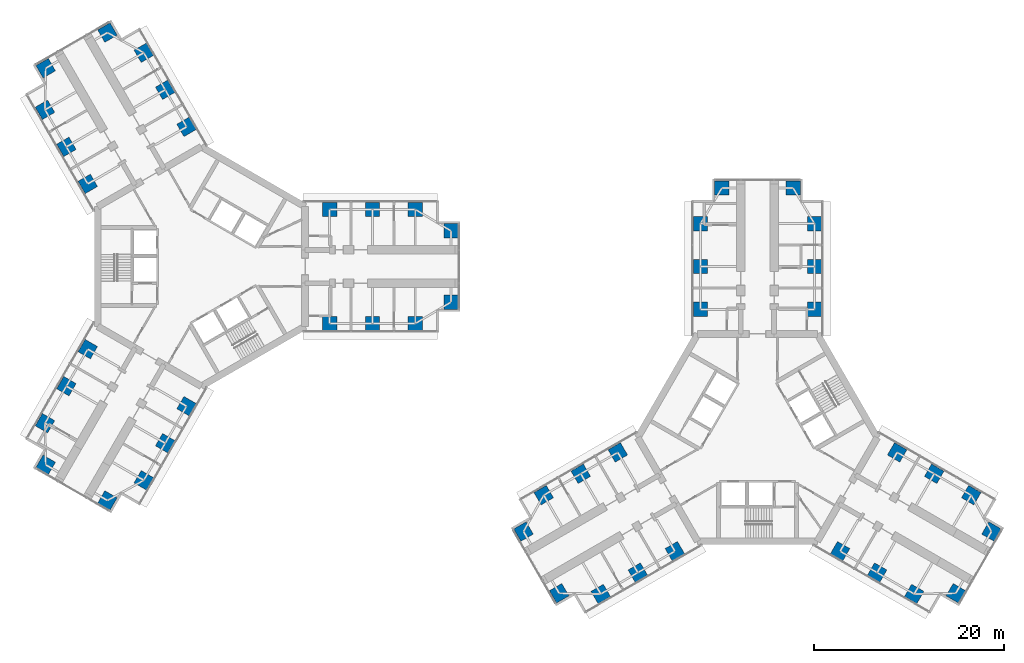
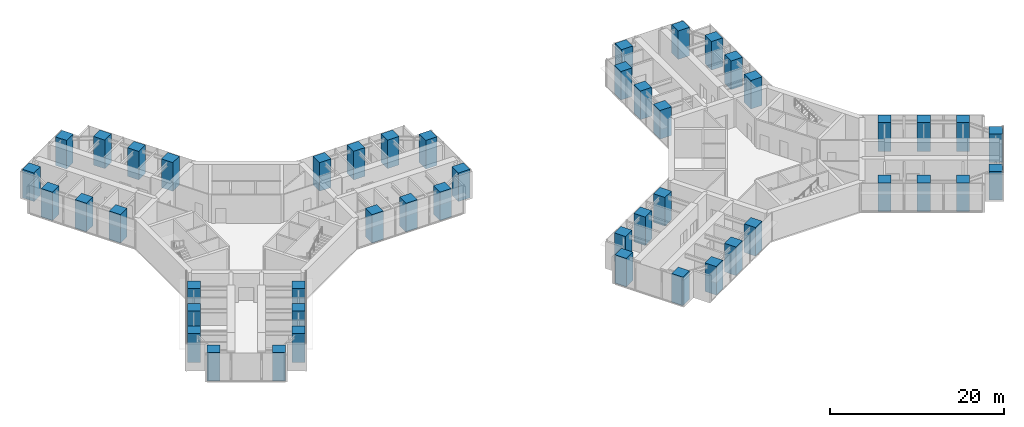
# One storey, part 1 of 22: 48 columns.
"""IFC4 building model written with IfcOpenShell, lengths in metres."""

import ifcopenshell
import ifcopenshell.guid

model = None  # the IFC model being written
_history = None  # IfcOwnerHistory: only IFC2X3 demands one
_inside = {}  # id of a spatial element -> (the spatial element, [elements in it])
_under = {}  # id of a project, library or spatial element -> (it, [spatial elements below it])
_declared = {}  # id of a project -> (the project, [libraries it declares])
_typed = {}  # id of a type object -> (the type object, [elements of that type])
_made_of = {}  # id of a material, layer set ... -> (it, [elements and type objects made of it])


def new_model(schema):
    """Start an empty IFC model of exactly this schema.

    Asked for "IFC4X3", IfcOpenShell would pick the latest addendum, in which some entities
    have other attributes; the version numbers below select the first issue.
    IFC2X3 requires an IfcOwnerHistory on every rooted entity: one is made here for all.
    """
    global model, _history
    if schema == "IFC4X3":
        model = ifcopenshell.file(schema_version=(4, 3, 0, 0))
    else:
        model = ifcopenshell.file(schema=schema)
    _inside.clear()
    _under.clear()
    _declared.clear()
    _typed.clear()
    _made_of.clear()
    _history = None
    if model.schema == "IFC2X3":
        org = make("IfcOrganization", Name="unknown")
        user = make(
            "IfcPersonAndOrganization",
            ThePerson=make("IfcPerson", FamilyName="unknown"),
            TheOrganization=org,
        )
        app = make(
            "IfcApplication",
            ApplicationDeveloper=org,
            Version="unknown",
            ApplicationFullName="unknown",
            ApplicationIdentifier="unknown",
        )
        _history = make(
            "IfcOwnerHistory",
            OwningUser=user,
            OwningApplication=app,
            ChangeAction="ADDED",
            CreationDate=0,
        )
    return model


def make(cls, **values):
    """One entity of the class cls with the attributes given. An attribute that is None is left unset."""
    return model.create_entity(
        cls, **{name: value for name, value in values.items() if value is not None}
    )


def rooted(cls, **values):
    """An entity with a GlobalId (a new one), such as an element, a storey or a relation."""
    return make(cls, GlobalId=ifcopenshell.guid.new(), OwnerHistory=_history, **values)


def si_unit(unit_type, name, prefix=None):
    """IfcSIUnit, for example si_unit("LENGTHUNIT", "METRE", prefix="MILLI")."""
    return make("IfcSIUnit", UnitType=unit_type, Prefix=prefix, Name=name)


def assignment(units):
    """IfcUnitAssignment: the units of a project."""
    return None if units is None else make("IfcUnitAssignment", Units=units)


def point(xyz):
    """IfcCartesianPoint."""
    return None if xyz is None else make("IfcCartesianPoint", Coordinates=xyz)


def direction(xyz):
    """IfcDirection."""
    return None if xyz is None else make("IfcDirection", DirectionRatios=xyz)


def frame(location, z_axis=None, x_axis=None):
    """IfcAxis2Placement3D, a coordinate frame: its origin and axes. An axis left out is left unset."""
    return make(
        "IfcAxis2Placement3D",
        Location=point(location),
        Axis=direction(z_axis),
        RefDirection=direction(x_axis),
    )


def frame_2d(location, x_axis=None):
    """IfcAxis2Placement2D, a coordinate frame in the plane: its origin and x axis."""
    return make(
        "IfcAxis2Placement2D", Location=point(location), RefDirection=direction(x_axis)
    )


def origin():
    """The frame at (0, 0, 0) with its axes left unset."""
    return frame((0.0, 0.0, 0.0))


def origin_2d():
    """The frame at (0, 0) in the plane with its x axis left unset."""
    return frame_2d((0.0, 0.0))


def place(relative_to, where):
    """IfcLocalPlacement: puts the frame where relative to a parent placement (None: the world)."""
    return make(
        "IfcLocalPlacement", PlacementRelTo=relative_to, RelativePlacement=where
    )


def context(
    kind, dimensions, precision=None, world=None, true_north=None, identifier=None
):
    """IfcGeometricRepresentationContext, for example the 3D "Model" context."""
    return make(
        "IfcGeometricRepresentationContext",
        ContextIdentifier=identifier,
        ContextType=kind,
        CoordinateSpaceDimension=dimensions,
        Precision=precision,
        WorldCoordinateSystem=world,
        TrueNorth=true_north,
    )


def subcontext(parent, identifier, kind, view, scale=None):
    """IfcGeometricRepresentationSubContext, for example "Body" below "Model"."""
    return make(
        "IfcGeometricRepresentationSubContext",
        ContextIdentifier=identifier,
        ContextType=kind,
        ParentContext=parent,
        TargetScale=scale,
        TargetView=view,
    )


def project(units=None, contexts=None):
    """IfcProject with its units and contexts."""
    return rooted(
        "IfcProject",
        Name="project",
        RepresentationContexts=contexts,
        UnitsInContext=assignment(units),
    )


def spatial(cls, under=None, at=None, **own):
    """A site, building, storey or space (cls), placed at a placement, below another one or the project."""
    s = rooted(cls, ObjectPlacement=at, **own)
    if under is not None:
        _under.setdefault(under.id(), (under, []))[1].append(s)
    return s


def profile(cls, at=None, kind="AREA", **sizes):
    """A parametric profile (cls). Its sizes go by their IFC names, for example OverallWidth=200.0."""
    return make(cls, ProfileType=kind, Position=at, **sizes)


def rectangle(**sizes):
    """IfcRectangleProfileDef."""
    return profile("IfcRectangleProfileDef", **sizes)


def extrude(swept, where, along, depth):
    """IfcExtrudedAreaSolid: the profile swept, set in the frame where, extruded along a direction by depth."""
    return make(
        "IfcExtrudedAreaSolid",
        SweptArea=swept,
        Position=where,
        ExtrudedDirection=direction(along),
        Depth=depth,
    )


def shape(context_of_items, identifier, shape_type, items):
    """IfcShapeRepresentation: the items that make up one representation, for example the "Body"."""
    return make(
        "IfcShapeRepresentation",
        ContextOfItems=context_of_items,
        RepresentationIdentifier=identifier,
        RepresentationType=shape_type,
        Items=items,
    )


def material(Name=None, Category=None):
    """IfcMaterial."""
    return make("IfcMaterial", Name=Name, Category=Category)


def material_profile(
    of_material, cross_section, Name=None, Category=None, Priority=None
):
    """IfcMaterialProfile: a cross section and its material."""
    return make(
        "IfcMaterialProfile",
        Name=Name,
        Material=of_material,
        Profile=cross_section,
        Priority=Priority,
        Category=Category,
    )


def profile_set(profiles, Name=None, composite=None):
    """IfcMaterialProfileSet."""
    return make(
        "IfcMaterialProfileSet",
        Name=Name,
        MaterialProfiles=profiles,
        CompositeProfile=composite,
    )


def made_of(thing, what):
    """Note that an element or type object is made of a material, layer set ...; save() writes the relation."""
    if what is not None:
        _made_of.setdefault(what.id(), (what, []))[1].append(thing)
    return thing


def type_object(cls, material=None, **own):
    """A type object (cls), such as IfcWallType, which elements share."""
    return made_of(rooted(cls, **own), material)


def element(
    cls,
    number,
    at=None,
    inside=None,
    cuts=None,
    type_object=None,
    material=None,
    context=None,
    identifier="Body",
    shape_type=None,
    held_by="IfcProductDefinitionShape",
    body=None,
    shapes=None,
    **own,
):
    """One element of the class cls, such as IfcWall. Its Tag is "e" and its number.

    at: its placement. inside: the storey or other place that contains it. cuts: it is an
    opening in that element (IfcRelVoidsElement). A single representation is given by context,
    identifier, shape_type and body (its items); several are given by shapes. held_by: the class
    of the entity that holds the representations. save() writes the other relations.
    """
    e = rooted(cls, Tag="e%d" % number, ObjectPlacement=at, **own)
    if body is not None:
        shapes = [shape(context, identifier, shape_type, body)]
    if shapes is not None:
        e.Representation = make(held_by, Representations=shapes)
    if inside is not None:
        _inside.setdefault(inside.id(), (inside, []))[1].append(e)
    if cuts is not None:
        rooted(
            "IfcRelVoidsElement", RelatingBuildingElement=cuts, RelatedOpeningElement=e
        )
    if type_object is not None:
        _typed.setdefault(type_object.id(), (type_object, []))[1].append(e)
    return made_of(e, material)


def aggregate(whole, parts):
    """IfcRelAggregates: a whole, such as a stair, and the parts it consists of."""
    return rooted("IfcRelAggregates", RelatingObject=whole, RelatedObjects=parts)


def save(model, path):
    """Write the relations noted so far, then the file.

    IfcRelAggregates (storeys below a building ...), IfcRelContainedInSpatialStructure (elements
    in a storey), IfcRelDefinesByType, IfcRelAssociatesMaterial and IfcRelDeclares: one each for
    every whole, place, type object, material and project.
    """
    for whole, parts in _under.values():
        aggregate(whole, parts)
    for where, things in _inside.values():
        rooted(
            "IfcRelContainedInSpatialStructure",
            RelatedElements=things,
            RelatingStructure=where,
        )
    for kind, things in _typed.values():
        rooted("IfcRelDefinesByType", RelatedObjects=things, RelatingType=kind)
    for what, things in _made_of.values():
        rooted("IfcRelAssociatesMaterial", RelatedObjects=things, RelatingMaterial=what)
    for by, libraries in _declared.values():
        rooted("IfcRelDeclares", RelatingContext=by, RelatedDefinitions=libraries)
    model.write(path)


model = new_model("IFC4")

# Units and contexts
model_context = context("Model", 3, precision=1e-05, world=origin(), true_north=direction((0.0, 1.0)))
body_context = subcontext(model_context, "Body", "Model", "MODEL_VIEW")
ifc_project = project(units=[si_unit("LENGTHUNIT", "METRE"), si_unit("AREAUNIT", "SQUARE_METRE"), si_unit("VOLUMEUNIT", "CUBIC_METRE"), si_unit("PLANEANGLEUNIT", "RADIAN"), si_unit("MASSUNIT", "GRAM", prefix="KILO")], contexts=[model_context])

# Site, building, storey
site_placement = place(None, origin())
site = spatial("IfcSite", under=ifc_project, at=site_placement, CompositionType="ELEMENT")
building_placement = place(site_placement, origin())
building = spatial("IfcBuilding", under=site, at=building_placement, Name="Upepo Twin Towers", CompositionType="ELEMENT")
storey_placement = place(building_placement, frame((0.0, 0.0, 36.5)))
storey = spatial("IfcBuildingStorey", under=building, at=storey_placement, Name="L08", CompositionType="ELEMENT", Elevation=36.5)

# Columns
ifc_material = material(Name="Concrete C60/75", Category="concrete")
ifc_material_profile = material_profile(ifc_material, rectangle(XDim=1.5, YDim=1.5, at=origin_2d()), Name="RC 1500x1500")
ifc_profile_set = profile_set([ifc_material_profile], Name="Concrete C60/75")
column_type = type_object("IfcColumnType", Name="Tower column RC 1500x1500", PredefinedType="COLUMN", material=ifc_profile_set)
for number, where, z_axis, x_axis, name in (
    (1, (13.5, 6.0, 0.0), (0.0, 0.0, 1.0), (1.0, 0.0, 0.0), "T1 column AL135"),
    (2, (13.5, -6.0, 0.0), (0.0, 0.0, 1.0), (1.0, 0.0, 0.0), "T1 column AR135"),
    (3, (18.0, 6.0, 0.0), (0.0, 0.0, 1.0), (1.0, 0.0, 0.0), "T1 column AL180"),
    (4, (18.0, -6.0, 0.0), (0.0, 0.0, 1.0), (1.0, 0.0, 0.0), "T1 column AR180"),
    (5, (22.5, 6.0, 0.0), (0.0, 0.0, 1.0), (1.0, 0.0, 0.0), "T1 column AL225"),
    (6, (22.5, -6.0, 0.0), (0.0, 0.0, 1.0), (1.0, 0.0, 0.0), "T1 column AR225"),
    (7, (26.25, 3.75, 0.0), (0.0, 0.0, 1.0), (1.0, 0.0, 0.0), "T1 column ALN"),
    (8, (26.25, -3.75, 0.0), (0.0, 0.0, 1.0), (1.0, 0.0, 0.0), "T1 column ARN"),
    (9, (-11.946044921875, 8.69140625, 0.0), (0.0, 0.0, 1.0), (0.866025403784, 0.5, 0.0), "T1 column BL135"),
    (10, (-1.553955078125, 14.69140625, 0.0), (0.0, 0.0, 1.0), (0.866025403784, 0.5, 0.0), "T1 column BR135"),
    (11, (-14.196044921875, 12.58837890625, 0.0), (0.0, 0.0, 1.0), (0.866025403784, 0.5, 0.0), "T1 column BL180"),
    (12, (-3.803955078125, 18.58837890625, 0.0), (0.0, 0.0, 1.0), (0.866025403784, 0.5, 0.0), "T1 column BR180"),
    (13, (-16.446044921875, 16.485595703125, 0.0), (0.0, 0.0, 1.0), (0.866025403784, 0.5, 0.0), "T1 column BL225"),
    (14, (-6.053955078125, 22.485595703125, 0.0), (0.0, 0.0, 1.0), (0.866025403784, 0.5, 0.0), "T1 column BR225"),
    (15, (-16.37255859375, 20.858154296875, 0.0), (0.0, 0.0, 1.0), (0.866025403784, 0.5, 0.0), "T1 column BLN"),
    (16, (-9.87744140625, 24.608154296875, 0.0), (0.0, 0.0, 1.0), (0.866025403784, 0.5, 0.0), "T1 column BRN"),
    (17, (-1.553955078125, -14.69140625, 0.0), (0.0, 0.0, 1.0), (0.5, 0.866025403784, 0.0), "T1 column CL135"),
    (18, (-11.946044921875, -8.69140625, 0.0), (0.0, 0.0, 1.0), (0.5, 0.866025403784, 0.0), "T1 column CR135"),
    (19, (-3.803955078125, -18.58837890625, 0.0), (0.0, 0.0, 1.0), (0.5, 0.866025403784, 0.0), "T1 column CL180"),
    (20, (-14.196044921875, -12.58837890625, 0.0), (0.0, 0.0, 1.0), (0.5, 0.866025403784, 0.0), "T1 column CR180"),
    (21, (-6.053955078125, -22.485595703125, 0.0), (0.0, 0.0, 1.0), (0.5, 0.866025403784, 0.0), "T1 column CL225"),
    (22, (-16.446044921875, -16.485595703125, 0.0), (0.0, 0.0, 1.0), (0.5, 0.866025403784, 0.0), "T1 column CR225"),
    (23, (-9.87744140625, -24.608154296875, 0.0), (0.0, 0.0, 1.0), (0.5, 0.866025403784, 0.0), "T1 column CLN"),
    (24, (-16.37255859375, -20.858154296875, 0.0), (0.0, 0.0, 1.0), (0.5, 0.866025403784, 0.0), "T1 column CRN"),
    (25, (52.5, -4.5, 0.0), (0.0, 0.0, 1.0), (1.0, 0.0, 0.0), "T2 column AL135"),
    (26, (64.5, -4.5, 0.0), (0.0, 0.0, 1.0), (1.0, 0.0, 0.0), "T2 column AR135"),
    (27, (52.5, 0.0, 0.0), (0.0, 0.0, 1.0), (1.0, 0.0, 0.0), "T2 column AL180"),
    (28, (64.5, 0.0, 0.0), (0.0, 0.0, 1.0), (1.0, 0.0, 0.0), "T2 column AR180"),
    (29, (52.5, 4.5, 0.0), (0.0, 0.0, 1.0), (1.0, 0.0, 0.0), "T2 column AL225"),
    (30, (64.5, 4.5, 0.0), (0.0, 0.0, 1.0), (1.0, 0.0, 0.0), "T2 column AR225"),
    (31, (54.75, 8.25, 0.0), (0.0, 0.0, 1.0), (1.0, 0.0, 0.0), "T2 column ALN"),
    (32, (62.25, 8.25, 0.0), (0.0, 0.0, 1.0), (1.0, 0.0, 0.0), "T2 column ARN"),
    (33, (49.80859375, -29.946044921875, 0.0), (0.0, 0.0, 1.0), (0.866025403784, 0.5, 0.0), "T2 column BL135"),
    (34, (43.80859375, -19.553955078125, 0.0), (0.0, 0.0, 1.0), (0.866025403784, 0.5, 0.0), "T2 column BR135"),
    (35, (45.91162109375, -32.196044921875, 0.0), (0.0, 0.0, 1.0), (0.866025403784, 0.5, 0.0), "T2 column BL180"),
    (36, (39.91162109375, -21.803955078125, 0.0), (0.0, 0.0, 1.0), (0.866025403784, 0.5, 0.0), "T2 column BR180"),
    (37, (42.014404296875, -34.446044921875, 0.0), (0.0, 0.0, 1.0), (0.866025403784, 0.5, 0.0), "T2 column BL225"),
    (38, (36.014404296875, -24.053955078125, 0.0), (0.0, 0.0, 1.0), (0.866025403784, 0.5, 0.0), "T2 column BR225"),
    (39, (37.641845703125, -34.37255859375, 0.0), (0.0, 0.0, 1.0), (0.866025403784, 0.5, 0.0), "T2 column BLN"),
    (40, (33.891845703125, -27.87744140625, 0.0), (0.0, 0.0, 1.0), (0.866025403784, 0.5, 0.0), "T2 column BRN"),
    (41, (73.19140625, -19.553955078125, 0.0), (0.0, 0.0, 1.0), (0.5, 0.866025403784, 0.0), "T2 column CL135"),
    (42, (67.19140625, -29.946044921875, 0.0), (0.0, 0.0, 1.0), (0.5, 0.866025403784, 0.0), "T2 column CR135"),
    (43, (77.08837890625, -21.803955078125, 0.0), (0.0, 0.0, 1.0), (0.5, 0.866025403784, 0.0), "T2 column CL180"),
    (44, (71.08837890625, -32.196044921875, 0.0), (0.0, 0.0, 1.0), (0.5, 0.866025403784, 0.0), "T2 column CR180"),
    (45, (80.985595703125, -24.053955078125, 0.0), (0.0, 0.0, 1.0), (0.5, 0.866025403784, 0.0), "T2 column CL225"),
    (46, (74.985595703125, -34.446044921875, 0.0), (0.0, 0.0, 1.0), (0.5, 0.866025403784, 0.0), "T2 column CR225"),
    (47, (83.108154296875, -27.87744140625, 0.0), (0.0, 0.0, 1.0), (0.5, 0.866025403784, 0.0), "T2 column CLN"),
    (48, (79.358154296875, -34.37255859375, 0.0), (0.0, 0.0, 1.0), (0.5, 0.866025403784, 0.0), "T2 column CRN"),
):
    element("IfcColumn", number, at=place(storey_placement, frame(where, z_axis=z_axis, x_axis=x_axis)), inside=storey, type_object=column_type, Name=name, PredefinedType="COLUMN", context=body_context, shape_type="SweptSolid", body=[
        extrude(rectangle(XDim=1.5, YDim=1.5, at=origin_2d()), origin(), (0.0, 0.0, 1.0), 4.0),
    ])

save(model, "model.ifc")
